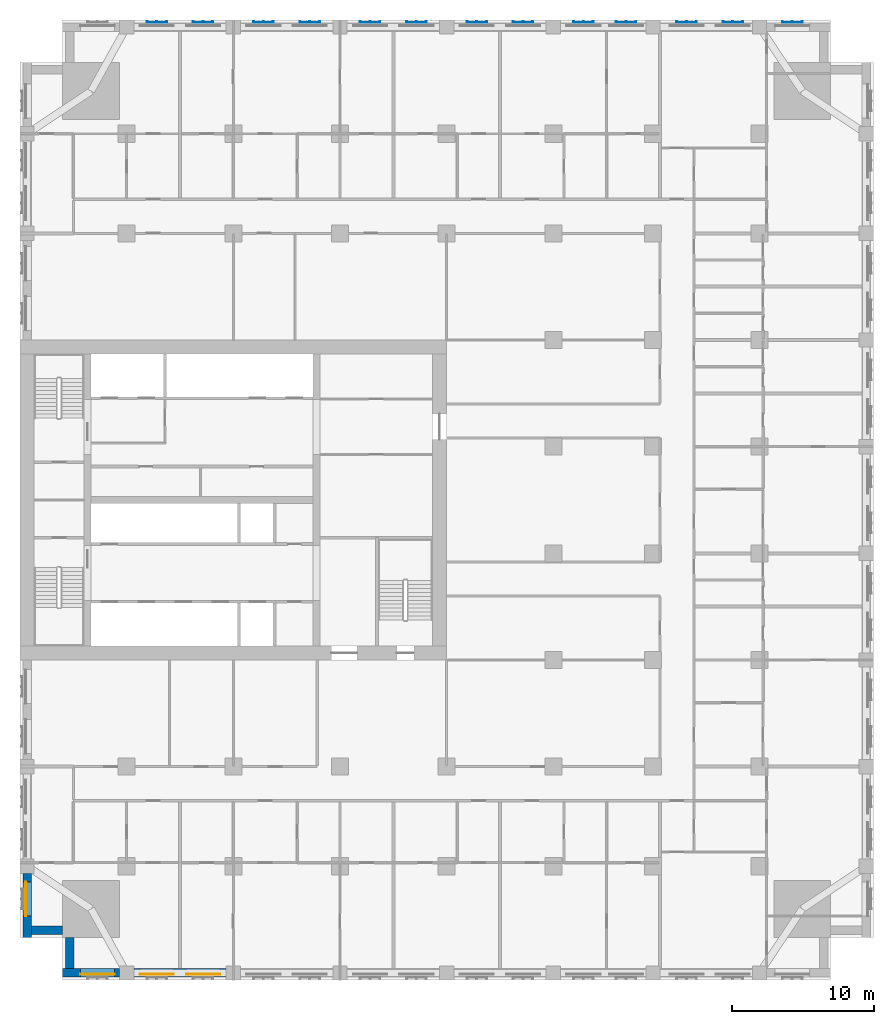
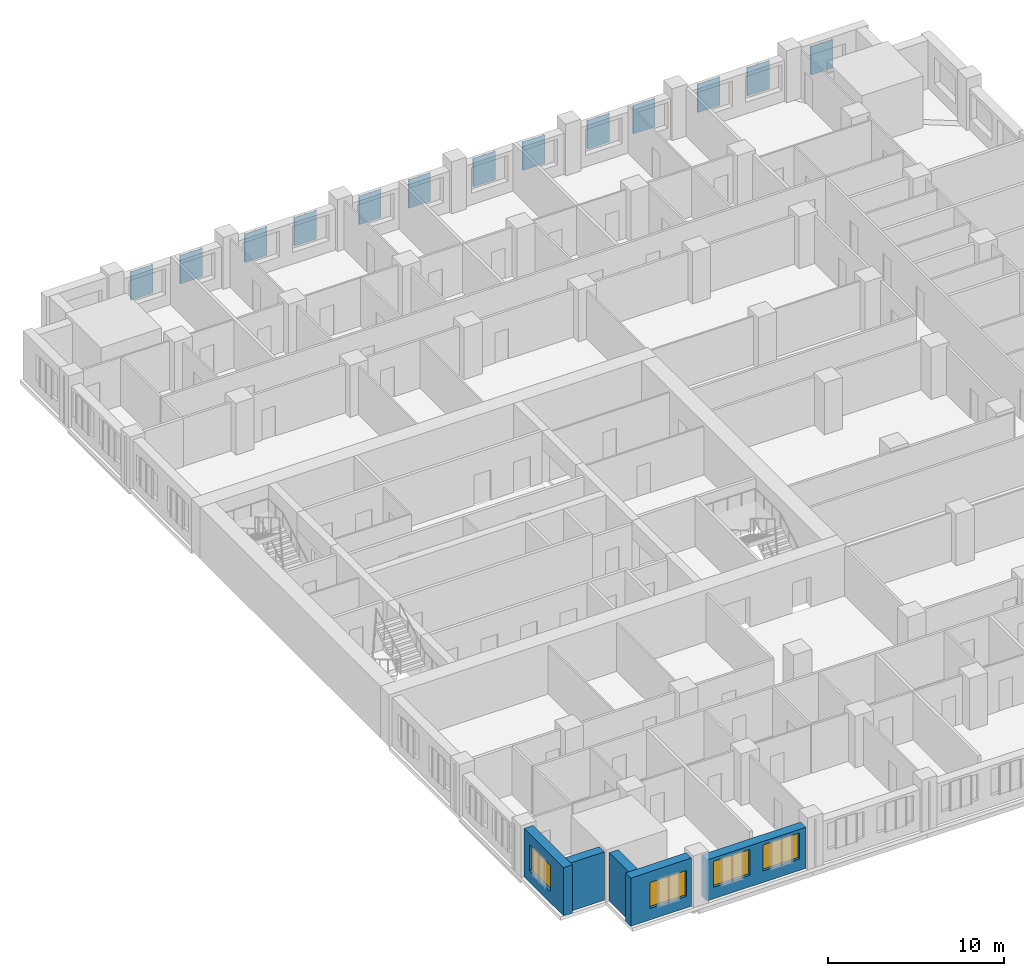
# One storey, part 3 of 14: 13 plates, 5 walls, 4 windows, 4 openings.
"""IFC4 building model written with IfcOpenShell, lengths in metres."""

from ifc_helpers import new_model, si_unit, direction, frame, frame_2d, origin, place, context, subcontext, project, spatial, polyline, rectangle, outline, extrude, material, layer, layer_set, type_object, element, fill, save


model = new_model("IFC4")

# Units and contexts
model_context = context("Model", 3, precision=1e-05, world=origin(), true_north=direction((0.0, 1.0)))
body_context = subcontext(model_context, "Body", "Model", "MODEL_VIEW")
ifc_project = project(units=[si_unit("LENGTHUNIT", "METRE"), si_unit("AREAUNIT", "SQUARE_METRE"), si_unit("VOLUMEUNIT", "CUBIC_METRE"), si_unit("PLANEANGLEUNIT", "RADIAN"), si_unit("MASSUNIT", "GRAM", prefix="KILO")], contexts=[model_context])

# Site, building, storey
site_placement = place(None, origin())
site = spatial("IfcSite", under=ifc_project, at=site_placement, CompositionType="ELEMENT")
building_placement = place(site_placement, origin())
building = spatial("IfcBuilding", under=site, at=building_placement, Name="Tamorin Gate", CompositionType="ELEMENT")
storey_placement = place(building_placement, frame((0.0, 0.0, 55.60009765625)))
storey = spatial("IfcBuildingStorey", under=building, at=storey_placement, Name="L12", CompositionType="ELEMENT", Elevation=55.60009765625)

# Plates
ifc_material_1 = material(Name="Perforated pale aluminium sheet", Category="aluminium")
ifc_layer_1 = layer(ifc_material_1, 0.0400390625)
ifc_layer_set_1 = layer_set([ifc_layer_1], Name="Pale metal solar screen 1440")
plate_type = type_object("IfcPlateType", Name="Pale metal solar screen 1440", PredefinedType="SHEET", material=ifc_layer_set_1)
plate_1_placement = place(storey_placement, frame((0.0, 0.0, 0.7099609375)))
element("IfcPlate", 1, at=plate_1_placement, inside=storey, type_object=plate_type, Name="Perforated solar screen", PredefinedType="SHEET", context=body_context, shape_type="SweptSolid", body=[
    extrude(outline(polyline([(85.02001953125, 104.840087890625), (85.02001953125, 104.800048828125), (84.9599609375, 104.800048828125), (84.330078125, 104.800048828125), (84.27001953125, 104.800048828125), (83.639892578125, 104.800048828125), (83.580078125, 104.800048828125), (83.580078125, 104.840087890625), (83.580078125, 104.89990234375), (83.639892578125, 104.89990234375), (83.639892578125, 104.840087890625), (84.27001953125, 104.840087890625), (84.27001953125, 104.89990234375), (84.330078125, 104.89990234375), (84.330078125, 104.840087890625), (84.9599609375, 104.840087890625), (84.9599609375, 104.89990234375), (85.02001953125, 104.89990234375), (85.02001953125, 104.840087890625)])), origin(), (0.0, 0.0, 1.0), 1.97998046875),
])
plate_2_placement = place(storey_placement, frame((0.0, 0.0, 0.7099609375)))
element("IfcPlate", 2, at=plate_2_placement, inside=storey, type_object=plate_type, Name="Perforated solar screen", PredefinedType="SHEET", context=body_context, shape_type="SweptSolid", body=[
    extrude(outline(polyline([(77.594970703125, 104.840087890625), (77.594970703125, 104.800048828125), (77.534912109375, 104.800048828125), (76.905029296875, 104.800048828125), (76.844970703125, 104.800048828125), (76.215087890625, 104.800048828125), (76.155029296875, 104.800048828125), (76.155029296875, 104.840087890625), (76.155029296875, 104.89990234375), (76.215087890625, 104.89990234375), (76.215087890625, 104.840087890625), (76.844970703125, 104.840087890625), (76.844970703125, 104.89990234375), (76.905029296875, 104.89990234375), (76.905029296875, 104.840087890625), (77.534912109375, 104.840087890625), (77.534912109375, 104.89990234375), (77.594970703125, 104.89990234375), (77.594970703125, 104.840087890625)])), origin(), (0.0, 0.0, 1.0), 1.97998046875),
])
plate_3_placement = place(storey_placement, frame((0.0, 0.0, 0.7099609375)))
element("IfcPlate", 3, at=plate_3_placement, inside=storey, type_object=plate_type, Name="Perforated solar screen", PredefinedType="SHEET", context=body_context, shape_type="SweptSolid", body=[
    extrude(outline(polyline([(80.844970703125, 104.840087890625), (80.844970703125, 104.800048828125), (80.784912109375, 104.800048828125), (80.155029296875, 104.800048828125), (80.094970703125, 104.800048828125), (79.465087890625, 104.800048828125), (79.405029296875, 104.800048828125), (79.405029296875, 104.800048828125), (79.405029296875, 104.840087890625), (79.405029296875, 104.840087890625), (79.405029296875, 104.89990234375), (79.465087890625, 104.89990234375), (79.465087890625, 104.840087890625), (80.094970703125, 104.840087890625), (80.094970703125, 104.89990234375), (80.155029296875, 104.89990234375), (80.155029296875, 104.840087890625), (80.784912109375, 104.840087890625), (80.784912109375, 104.89990234375), (80.844970703125, 104.89990234375), (80.844970703125, 104.840087890625)])), origin(), (0.0, 0.0, 1.0), 1.97998046875),
])
plate_4_placement = place(storey_placement, frame((0.0, 0.0, 0.7099609375)))
element("IfcPlate", 4, at=plate_4_placement, inside=storey, type_object=plate_type, Name="Perforated solar screen", PredefinedType="SHEET", context=body_context, shape_type="SweptSolid", body=[
    extrude(outline(polyline([(70.344970703125, 104.840087890625), (70.344970703125, 104.800048828125), (70.284912109375, 104.800048828125), (69.655029296875, 104.800048828125), (69.594970703125, 104.800048828125), (68.965087890625, 104.800048828125), (68.905029296875, 104.800048828125), (68.905029296875, 104.840087890625), (68.905029296875, 104.89990234375), (68.965087890625, 104.89990234375), (68.965087890625, 104.840087890625), (69.594970703125, 104.840087890625), (69.594970703125, 104.89990234375), (69.655029296875, 104.89990234375), (69.655029296875, 104.840087890625), (70.284912109375, 104.840087890625), (70.284912109375, 104.89990234375), (70.344970703125, 104.89990234375), (70.344970703125, 104.840087890625)])), origin(), (0.0, 0.0, 1.0), 1.97998046875),
])
plate_5_placement = place(storey_placement, frame((0.0, 0.0, 0.7099609375)))
element("IfcPlate", 5, at=plate_5_placement, inside=storey, type_object=plate_type, Name="Perforated solar screen", PredefinedType="SHEET", context=body_context, shape_type="SweptSolid", body=[
    extrude(outline(polyline([(73.344970703125, 104.840087890625), (73.344970703125, 104.800048828125), (73.284912109375, 104.800048828125), (72.655029296875, 104.800048828125), (72.594970703125, 104.800048828125), (71.965087890625, 104.800048828125), (71.905029296875, 104.800048828125), (71.905029296875, 104.840087890625), (71.905029296875, 104.89990234375), (71.965087890625, 104.89990234375), (71.965087890625, 104.840087890625), (72.594970703125, 104.840087890625), (72.594970703125, 104.89990234375), (72.655029296875, 104.89990234375), (72.655029296875, 104.840087890625), (73.284912109375, 104.840087890625), (73.284912109375, 104.89990234375), (73.344970703125, 104.89990234375), (73.344970703125, 104.840087890625)])), origin(), (0.0, 0.0, 1.0), 1.97998046875),
])
plate_6_placement = place(storey_placement, frame((0.0, 0.0, 0.7099609375)))
element("IfcPlate", 6, at=plate_6_placement, inside=storey, type_object=plate_type, Name="Perforated solar screen", PredefinedType="SHEET", context=body_context, shape_type="SweptSolid", body=[
    extrude(outline(polyline([(62.844970703125, 104.840087890625), (62.844970703125, 104.800048828125), (62.784912109375, 104.800048828125), (62.155029296875, 104.800048828125), (62.094970703125, 104.800048828125), (61.465087890625, 104.800048828125), (61.405029296875, 104.800048828125), (61.405029296875, 104.840087890625), (61.405029296875, 104.89990234375), (61.465087890625, 104.89990234375), (61.465087890625, 104.840087890625), (62.094970703125, 104.840087890625), (62.094970703125, 104.89990234375), (62.155029296875, 104.89990234375), (62.155029296875, 104.840087890625), (62.784912109375, 104.840087890625), (62.784912109375, 104.89990234375), (62.844970703125, 104.89990234375), (62.844970703125, 104.840087890625)])), origin(), (0.0, 0.0, 1.0), 1.97998046875),
])
plate_7_placement = place(storey_placement, frame((0.0, 0.0, 0.7099609375)))
element("IfcPlate", 7, at=plate_7_placement, inside=storey, type_object=plate_type, Name="Perforated solar screen", PredefinedType="SHEET", context=body_context, shape_type="SweptSolid", body=[
    extrude(outline(polyline([(66.094970703125, 104.840087890625), (66.094970703125, 104.800048828125), (66.034912109375, 104.800048828125), (65.405029296875, 104.800048828125), (65.344970703125, 104.800048828125), (64.715087890625, 104.800048828125), (64.655029296875, 104.800048828125), (64.655029296875, 104.840087890625), (64.655029296875, 104.89990234375), (64.715087890625, 104.89990234375), (64.715087890625, 104.840087890625), (65.344970703125, 104.840087890625), (65.344970703125, 104.89990234375), (65.405029296875, 104.89990234375), (65.405029296875, 104.840087890625), (66.034912109375, 104.840087890625), (66.034912109375, 104.89990234375), (66.094970703125, 104.89990234375), (66.094970703125, 104.840087890625)])), origin(), (0.0, 0.0, 1.0), 1.97998046875),
])
plate_8_placement = place(storey_placement, frame((0.0, 0.0, 0.7099609375)))
element("IfcPlate", 8, at=plate_8_placement, inside=storey, type_object=plate_type, Name="Perforated solar screen", PredefinedType="SHEET", context=body_context, shape_type="SweptSolid", body=[
    extrude(outline(polyline([(55.344970703125, 104.840087890625), (55.344970703125, 104.800048828125), (55.284912109375, 104.800048828125), (54.655029296875, 104.800048828125), (54.594970703125, 104.800048828125), (53.965087890625, 104.800048828125), (53.905029296875, 104.800048828125), (53.905029296875, 104.840087890625), (53.905029296875, 104.89990234375), (53.965087890625, 104.89990234375), (53.965087890625, 104.840087890625), (54.594970703125, 104.840087890625), (54.594970703125, 104.89990234375), (54.655029296875, 104.89990234375), (54.655029296875, 104.840087890625), (55.284912109375, 104.840087890625), (55.284912109375, 104.89990234375), (55.344970703125, 104.89990234375), (55.344970703125, 104.840087890625)])), origin(), (0.0, 0.0, 1.0), 1.97998046875),
])
plate_9_placement = place(storey_placement, frame((0.0, 0.0, 0.7099609375)))
element("IfcPlate", 9, at=plate_9_placement, inside=storey, type_object=plate_type, Name="Perforated solar screen", PredefinedType="SHEET", context=body_context, shape_type="SweptSolid", body=[
    extrude(outline(polyline([(58.594970703125, 104.840087890625), (58.594970703125, 104.800048828125), (58.534912109375, 104.800048828125), (57.905029296875, 104.800048828125), (57.844970703125, 104.800048828125), (57.215087890625, 104.800048828125), (57.155029296875, 104.800048828125), (57.155029296875, 104.840087890625), (57.155029296875, 104.89990234375), (57.215087890625, 104.89990234375), (57.215087890625, 104.840087890625), (57.844970703125, 104.840087890625), (57.844970703125, 104.89990234375), (57.905029296875, 104.89990234375), (57.905029296875, 104.840087890625), (58.534912109375, 104.840087890625), (58.534912109375, 104.89990234375), (58.594970703125, 104.89990234375), (58.594970703125, 104.840087890625)])), origin(), (0.0, 0.0, 1.0), 1.97998046875),
])
plate_10_placement = place(storey_placement, frame((0.0, 0.0, 0.7099609375)))
element("IfcPlate", 10, at=plate_10_placement, inside=storey, type_object=plate_type, Name="Perforated solar screen", PredefinedType="SHEET", context=body_context, shape_type="SweptSolid", body=[
    extrude(outline(polyline([(47.844970703125, 104.840087890625), (47.844970703125, 104.800048828125), (47.784912109375, 104.800048828125), (47.155029296875, 104.800048828125), (47.094970703125, 104.800048828125), (46.465087890625, 104.800048828125), (46.405029296875, 104.800048828125), (46.405029296875, 104.840087890625), (46.405029296875, 104.89990234375), (46.465087890625, 104.89990234375), (46.465087890625, 104.840087890625), (47.094970703125, 104.840087890625), (47.094970703125, 104.89990234375), (47.155029296875, 104.89990234375), (47.155029296875, 104.840087890625), (47.784912109375, 104.840087890625), (47.784912109375, 104.89990234375), (47.844970703125, 104.89990234375), (47.844970703125, 104.840087890625)])), origin(), (0.0, 0.0, 1.0), 1.97998046875),
])
plate_11_placement = place(storey_placement, frame((0.0, 0.0, 0.7099609375)))
element("IfcPlate", 11, at=plate_11_placement, inside=storey, type_object=plate_type, Name="Perforated solar screen", PredefinedType="SHEET", context=body_context, shape_type="SweptSolid", body=[
    extrude(outline(polyline([(51.094970703125, 104.840087890625), (51.094970703125, 104.800048828125), (51.034912109375, 104.800048828125), (50.405029296875, 104.800048828125), (50.344970703125, 104.800048828125), (49.715087890625, 104.800048828125), (49.655029296875, 104.800048828125), (49.655029296875, 104.840087890625), (49.655029296875, 104.89990234375), (49.715087890625, 104.89990234375), (49.715087890625, 104.840087890625), (50.344970703125, 104.840087890625), (50.344970703125, 104.89990234375), (50.405029296875, 104.89990234375), (50.405029296875, 104.840087890625), (51.034912109375, 104.840087890625), (51.034912109375, 104.89990234375), (51.094970703125, 104.89990234375), (51.094970703125, 104.840087890625)])), origin(), (0.0, 0.0, 1.0), 1.97998046875),
])
plate_12_placement = place(storey_placement, frame((0.0, 0.0, 0.7099609375)))
element("IfcPlate", 12, at=plate_12_placement, inside=storey, type_object=plate_type, Name="Perforated solar screen", PredefinedType="SHEET", context=body_context, shape_type="SweptSolid", body=[
    extrude(outline(polyline([(40.344970703125, 104.840087890625), (40.344970703125, 104.800048828125), (40.284912109375, 104.800048828125), (39.655029296875, 104.800048828125), (39.594970703125, 104.800048828125), (38.965087890625, 104.800048828125), (38.905029296875, 104.800048828125), (38.905029296875, 104.840087890625), (38.905029296875, 104.89990234375), (38.965087890625, 104.89990234375), (38.965087890625, 104.840087890625), (39.594970703125, 104.840087890625), (39.594970703125, 104.89990234375), (39.655029296875, 104.89990234375), (39.655029296875, 104.840087890625), (40.284912109375, 104.840087890625), (40.284912109375, 104.89990234375), (40.344970703125, 104.89990234375), (40.344970703125, 104.840087890625)])), origin(), (0.0, 0.0, 1.0), 1.97998046875),
])
plate_13_placement = place(storey_placement, frame((0.0, 0.0, 0.7099609375)))
element("IfcPlate", 13, at=plate_13_placement, inside=storey, type_object=plate_type, Name="Perforated solar screen", PredefinedType="SHEET", context=body_context, shape_type="SweptSolid", body=[
    extrude(outline(polyline([(43.594970703125, 104.840087890625), (43.594970703125, 104.800048828125), (43.534912109375, 104.800048828125), (42.905029296875, 104.800048828125), (42.844970703125, 104.800048828125), (42.215087890625, 104.800048828125), (42.155029296875, 104.800048828125), (42.155029296875, 104.840087890625), (42.155029296875, 104.89990234375), (42.215087890625, 104.89990234375), (42.215087890625, 104.840087890625), (42.844970703125, 104.840087890625), (42.844970703125, 104.89990234375), (42.905029296875, 104.89990234375), (42.905029296875, 104.840087890625), (43.534912109375, 104.840087890625), (43.534912109375, 104.89990234375), (43.594970703125, 104.89990234375), (43.594970703125, 104.840087890625)])), origin(), (0.0, 0.0, 1.0), 1.97998046875),
])

# Wall, opening, window
ifc_material_2 = material(Name="Precast concrete C40/50", Category="concrete")
ifc_layer_2 = layer(ifc_material_2, 0.60009765625)
ifc_layer_set_2 = layer_set([ifc_layer_2], Name="Precast concrete C40/50")
wall_type = type_object("IfcWallType", Name="Board-marked concrete facade panel 600", PredefinedType="SOLIDWALL", material=ifc_layer_set_2)
wall_1_placement = place(storey_placement, frame((33.0, 38.0, 0.0), z_axis=(0.0, 0.0, 1.0), x_axis=(1.0, 0.0, 0.0)))
wall_1 = element("IfcWall", 14, at=wall_1_placement, inside=storey, type_object=wall_type, Name="Facade panel", PredefinedType="SOLIDWALL", context=body_context, shape_type="SweptSolid", body=[
    extrude(rectangle(XDim=4.0, YDim=0.60009765625, at=frame_2d((2.0, 0.0))), origin(), (0.0, 0.0, 1.0), 3.349853515625),
])
opening_1_placement = place(wall_1_placement, frame((1.25, 0.0, 0.800048828125)))
opening_1 = element("IfcOpeningElement", 15, at=opening_1_placement, cuts=wall_1, Name="Opening WN1", PredefinedType="OPENING", context=body_context, shape_type="SweptSolid", body=[
    extrude(rectangle(XDim=2.39990234375, YDim=1.800048828125, at=frame_2d((1.199951171875, 0.89990234375))), frame((0.0, 0.31005859375, 0.0), z_axis=(0.0, -1.0, 0.0), x_axis=(1.0, 0.0, 0.0)), (0.0, 0.0, 1.0), 0.6201171875),
])
ifc_material_3 = material(Name="Clear glass in aluminium frame", Category="aluminium")
window_type = type_object("IfcWindowType", Name="Deep-set window 2400x1800", PartitioningType="SINGLE_PANEL", PredefinedType="WINDOW", material=ifc_material_3)
window_1_placement = place(opening_1_placement, origin())
window_1 = element("IfcWindow", 16, at=window_1_placement, inside=storey, type_object=window_type, Name="Deep-set window", OverallHeight=1.800048828125, OverallWidth=2.39990234375, PartitioningType="SINGLE_PANEL", PredefinedType="WINDOW", context=body_context, shape_type="SweptSolid", body=[
    extrude(rectangle(XDim=2.39990234375, YDim=1.800048828125, at=frame_2d((1.199951171875, 0.89990234375))), frame((0.0, -0.070068359375, 0.0), z_axis=(0.0, -1.0, 0.0), x_axis=(1.0, 0.0, 0.0)), (0.0, 0.0, 1.0), 0.06005859375),
])
fill(opening_1, window_1)

# Wall, openings, windows
wall_2_placement = place(storey_placement, frame((38.0, 38.0, 0.0), z_axis=(0.0, 0.0, 1.0), x_axis=(1.0, 0.0, 0.0)))
wall_2 = element("IfcWall", 17, at=wall_2_placement, inside=storey, type_object=wall_type, Name="Facade panel", PredefinedType="SOLIDWALL", context=body_context, shape_type="SweptSolid", body=[
    extrude(rectangle(XDim=6.5, YDim=0.60009765625, at=frame_2d((3.25, 0.0))), origin(), (0.0, 0.0, 1.0), 2.849853515625),
])
opening_2_placement = place(wall_2_placement, frame((0.425048828125, 0.0, 0.800048828125)))
opening_2 = element("IfcOpeningElement", 18, at=opening_2_placement, cuts=wall_2, Name="Opening WN1", PredefinedType="OPENING", context=body_context, shape_type="SweptSolid", body=[
    extrude(rectangle(XDim=2.39990234375, YDim=1.800048828125, at=frame_2d((1.199951171875, 0.89990234375))), frame((0.0, 0.31005859375, 0.0), z_axis=(0.0, -1.0, 0.0), x_axis=(1.0, 0.0, 0.0)), (0.0, 0.0, 1.0), 0.6201171875),
])
opening_3_placement = place(wall_2_placement, frame((3.675048828125, 0.0, 0.800048828125)))
opening_3 = element("IfcOpeningElement", 19, at=opening_3_placement, cuts=wall_2, Name="Opening WN1", PredefinedType="OPENING", context=body_context, shape_type="SweptSolid", body=[
    extrude(rectangle(XDim=2.39990234375, YDim=1.800048828125, at=frame_2d((1.199951171875, 0.89990234375))), frame((0.0, 0.31005859375, 0.0), z_axis=(0.0, -1.0, 0.0), x_axis=(1.0, 0.0, 0.0)), (0.0, 0.0, 1.0), 0.6201171875),
])
window_2_placement = place(opening_2_placement, origin())
window_2 = element("IfcWindow", 20, at=window_2_placement, inside=storey, type_object=window_type, Name="Deep-set window", OverallHeight=1.800048828125, OverallWidth=2.39990234375, PartitioningType="SINGLE_PANEL", PredefinedType="WINDOW", context=body_context, shape_type="SweptSolid", body=[
    extrude(rectangle(XDim=2.39990234375, YDim=1.800048828125, at=frame_2d((1.199951171875, 0.89990234375))), frame((0.0, -0.070068359375, 0.0), z_axis=(0.0, -1.0, 0.0), x_axis=(1.0, 0.0, 0.0)), (0.0, 0.0, 1.0), 0.06005859375),
])
fill(opening_2, window_2)
window_3_placement = place(opening_3_placement, origin())
window_3 = element("IfcWindow", 21, at=window_3_placement, inside=storey, type_object=window_type, Name="Deep-set window", OverallHeight=1.800048828125, OverallWidth=2.39990234375, PartitioningType="SINGLE_PANEL", PredefinedType="WINDOW", context=body_context, shape_type="SweptSolid", body=[
    extrude(rectangle(XDim=2.39990234375, YDim=1.800048828125, at=frame_2d((1.199951171875, 0.89990234375))), frame((0.0, -0.070068359375, 0.0), z_axis=(0.0, -1.0, 0.0), x_axis=(1.0, 0.0, 0.0)), (0.0, 0.0, 1.0), 0.06005859375),
])
fill(opening_3, window_3)

# Wall, opening, window
wall_3_placement = place(storey_placement, frame((30.5, 45.0, 0.0), z_axis=(0.0, 0.0, 1.0), x_axis=(0.0, -1.0, 0.0)))
wall_3 = element("IfcWall", 22, at=wall_3_placement, inside=storey, type_object=wall_type, Name="Facade panel", PredefinedType="SOLIDWALL", context=body_context, shape_type="SweptSolid", body=[
    extrude(rectangle(XDim=4.5, YDim=0.60009765625, at=frame_2d((2.25, 0.0))), origin(), (0.0, 0.0, 1.0), 3.349853515625),
])
opening_4_placement = place(wall_3_placement, frame((0.60009765625, 0.0, 0.800048828125)))
opening_4 = element("IfcOpeningElement", 23, at=opening_4_placement, cuts=wall_3, Name="Opening WN1", PredefinedType="OPENING", context=body_context, shape_type="SweptSolid", body=[
    extrude(rectangle(XDim=2.39990234375, YDim=1.800048828125, at=frame_2d((1.199951171875, 0.89990234375))), frame((0.0, 0.31005859375, 0.0), z_axis=(0.0, -1.0, 0.0), x_axis=(1.0, 0.0, 0.0)), (0.0, 0.0, 1.0), 0.6201171875),
])
window_4_placement = place(opening_4_placement, origin())
window_4 = element("IfcWindow", 24, at=window_4_placement, inside=storey, type_object=window_type, Name="Deep-set window", OverallHeight=1.800048828125, OverallWidth=2.39990234375, PartitioningType="SINGLE_PANEL", PredefinedType="WINDOW", context=body_context, shape_type="SweptSolid", body=[
    extrude(rectangle(XDim=2.39990234375, YDim=1.800048828125, at=frame_2d((1.199951171875, 0.89990234375))), frame((0.0, -0.070068359375, 0.0), z_axis=(0.0, -1.0, 0.0), x_axis=(1.0, 0.0, 0.0)), (0.0, 0.0, 1.0), 0.06005859375),
])
fill(opening_4, window_4)

# Walls
for number, where, z_axis, x_axis, name in (
    (25, (30.800048828125, 41.0, 0.0), (0.0, 0.0, 1.0), (1.0, 0.0, 0.0), "Facade panel"),
    (26, (33.5, 40.5, 0.0), (0.0, 0.0, 1.0), (0.0, -1.0, 0.0), "Facade panel"),
):
    element("IfcWall", number, at=place(storey_placement, frame(where, z_axis=z_axis, x_axis=x_axis)), inside=storey, type_object=wall_type, Name=name, PredefinedType="SOLIDWALL", context=body_context, shape_type="SweptSolid", body=[
        extrude(rectangle(XDim=2.199951171875, YDim=0.60009765625, at=frame_2d((1.10009765625, 0.0))), origin(), (0.0, 0.0, 1.0), 3.349853515625),
    ])

save(model, "model.ifc")
